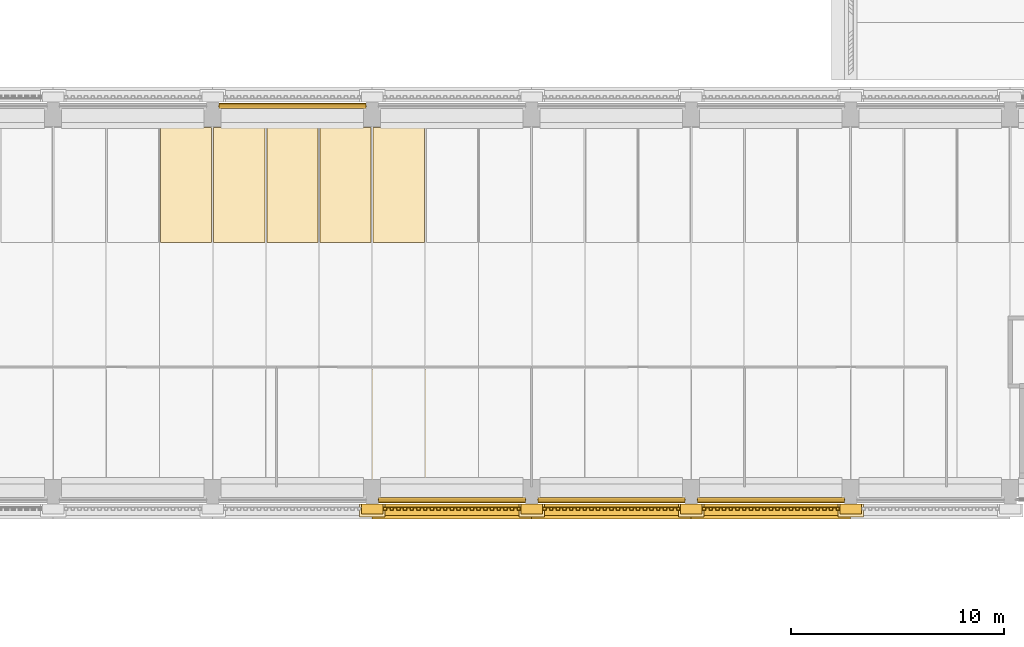
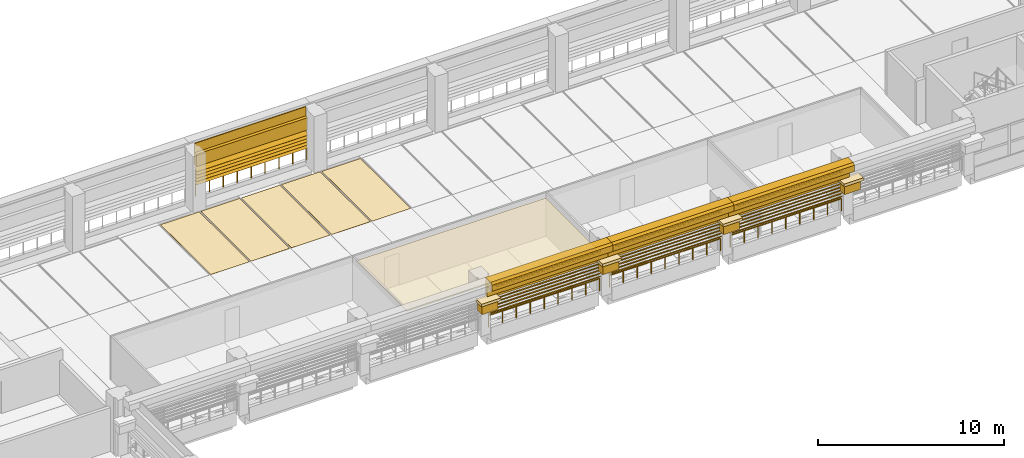
# One storey, part 43 of 71: 24 coverings, 20 shading devices, 4 railings.
"""IFC4 building model written with IfcOpenShell, lengths in metres."""

from ifc_helpers import new_model, si_unit, direction, frame, origin, origin_2d, place, context, subcontext, project, spatial, polyline, circle, outline, extrude, material, layer, layer_set, type_object, element, save


model = new_model("IFC4")

# Units and contexts
model_context = context("Model", 3, precision=1e-05, world=origin(), true_north=direction((0.0, 1.0)))
body_context = subcontext(model_context, "Body", "Model", "MODEL_VIEW")
ifc_project = project(units=[si_unit("LENGTHUNIT", "METRE"), si_unit("AREAUNIT", "SQUARE_METRE"), si_unit("VOLUMEUNIT", "CUBIC_METRE"), si_unit("PLANEANGLEUNIT", "RADIAN"), si_unit("MASSUNIT", "GRAM", prefix="KILO")], contexts=[model_context])

# Site, building, storey
site_placement = place(None, origin())
site = spatial("IfcSite", under=ifc_project, at=site_placement, CompositionType="ELEMENT")
building_placement = place(site_placement, origin())
building = spatial("IfcBuilding", under=site, at=building_placement, Name="Cour d'Honneur Mobility Palace", CompositionType="ELEMENT")
storey_placement = place(building_placement, frame((0.0, 0.0, 15.60009765625)))
storey = spatial("IfcBuildingStorey", under=building, at=storey_placement, Name="L04", CompositionType="ELEMENT", Elevation=15.60009765625)

# Railings
ifc_material_1 = material(Name="Painted steel", Category="steel")
railing_type = type_object("IfcRailingType", Name="Balustrade", PredefinedType="BALUSTRADE", material=ifc_material_1)
for number, where, name in (
    (1, (40.199951171875, 44.449951171875, 0.2998046875), "Balustrade BAL-207"),
    (2, (47.699951171875, 44.449951171875, 0.2998046875), "Balustrade BAL-208"),
    (3, (55.199951171875, 44.449951171875, 0.2998046875), "Balustrade BAL-209"),
):
    element("IfcRailing", number, at=place(storey_placement, frame(where)), inside=storey, type_object=railing_type, Name=name, PredefinedType="BALUSTRADE", context=body_context, shape_type="SweptSolid", body=[
        extrude(circle(Radius=0.02392578125, at=origin_2d()), frame((0.0, 0.0, 0.77587890625), z_axis=(1.0, 0.0, 0.0), x_axis=(0.0, 1.0, 0.0)), (0.0, 0.0, 1.0), 6.900146484375),
        extrude(circle(Radius=0.02099609375, at=origin_2d()), origin(), (0.0, 0.0, 1.0), 0.751953125),
        extrude(circle(Radius=0.02099609375, at=origin_2d()), frame((0.862548828125, 0.0, 0.0)), (0.0, 0.0, 1.0), 0.751953125),
        extrude(circle(Radius=0.02099609375, at=origin_2d()), frame((1.72509765625, 0.0, 0.0)), (0.0, 0.0, 1.0), 0.751953125),
        extrude(circle(Radius=0.02099609375, at=origin_2d()), frame((2.587646484375, 0.0, 0.0)), (0.0, 0.0, 1.0), 0.751953125),
        extrude(circle(Radius=0.02099609375, at=origin_2d()), frame((3.4501953125, 0.0, 0.0)), (0.0, 0.0, 1.0), 0.751953125),
        extrude(circle(Radius=0.02099609375, at=origin_2d()), frame((4.3125, 0.0, 0.0)), (0.0, 0.0, 1.0), 0.751953125),
        extrude(circle(Radius=0.02099609375, at=origin_2d()), frame((5.175048828125, 0.0, 0.0)), (0.0, 0.0, 1.0), 0.751953125),
        extrude(circle(Radius=0.02099609375, at=origin_2d()), frame((6.03759765625, 0.0, 0.0)), (0.0, 0.0, 1.0), 0.751953125),
        extrude(circle(Radius=0.02099609375, at=origin_2d()), frame((6.900146484375, 0.0, 0.0)), (0.0, 0.0, 1.0), 0.751953125),
    ])
railing_placement = place(storey_placement, frame((39.60009765625, 62.949951171875, 0.2998046875)))
element("IfcRailing", 4, at=railing_placement, inside=storey, type_object=railing_type, Name="Balustrade BAL-249", PredefinedType="BALUSTRADE", context=body_context, shape_type="SweptSolid", body=[
    extrude(circle(Radius=0.02392578125, at=origin_2d()), frame((0.0, 0.0, 0.77587890625), z_axis=(-1.0, 0.0, 0.0), x_axis=(0.0, -1.0, 0.0)), (0.0, 0.0, 1.0), 6.900146484375),
    extrude(circle(Radius=0.02099609375, at=origin_2d()), origin(), (0.0, 0.0, 1.0), 0.751953125),
    extrude(circle(Radius=0.02099609375, at=origin_2d()), frame((-0.862548828125, 0.0, 0.0)), (0.0, 0.0, 1.0), 0.751953125),
    extrude(circle(Radius=0.02099609375, at=origin_2d()), frame((-1.72509765625, 0.0, 0.0)), (0.0, 0.0, 1.0), 0.751953125),
    extrude(circle(Radius=0.02099609375, at=origin_2d()), frame((-2.587646484375, 0.0, 0.0)), (0.0, 0.0, 1.0), 0.751953125),
    extrude(circle(Radius=0.02099609375, at=origin_2d()), frame((-3.4501953125, 0.0, 0.0)), (0.0, 0.0, 1.0), 0.751953125),
    extrude(circle(Radius=0.02099609375, at=origin_2d()), frame((-4.3125, 0.0, 0.0)), (0.0, 0.0, 1.0), 0.751953125),
    extrude(circle(Radius=0.02099609375, at=origin_2d()), frame((-5.175048828125, 0.0, 0.0)), (0.0, 0.0, 1.0), 0.751953125),
    extrude(circle(Radius=0.02099609375, at=origin_2d()), frame((-6.03759765625, 0.0, 0.0)), (0.0, 0.0, 1.0), 0.751953125),
    extrude(circle(Radius=0.02099609375, at=origin_2d()), frame((-6.900146484375, 0.0, 0.0)), (0.0, 0.0, 1.0), 0.751953125),
])

# Coverings
ifc_material_2 = material(Name="Cast limestone", Category="masonry")
ifc_layer_1 = layer(ifc_material_2, 0.14990234375)
ifc_layer_set_1 = layer_set([ifc_layer_1], Name="Cast limestone")
covering_type_1 = type_object("IfcCoveringType", Name="Dentil course", PredefinedType="CLADDING", material=ifc_layer_set_1)
covering_1_placement = place(storey_placement, frame((0.0, 0.0, 3.14990234375)))
element("IfcCovering", 5, at=covering_1_placement, inside=storey, type_object=covering_type_1, Name="Dentil course DC-73", PredefinedType="CLADDING", context=body_context, shape_type="SweptSolid", body=[
    extrude(outline(polyline([(40.35009765625, 44.10009765625), (46.949951171875, 44.10009765625), (46.949951171875, 44.070068359375), (46.949951171875, 44.070068359375), (46.871337890625, 44.070068359375), (46.871337890625, 43.949951171875), (46.71435546875, 43.949951171875), (46.71435546875, 44.070068359375), (46.6357421875, 44.070068359375), (46.6357421875, 44.070068359375), (46.55712890625, 44.070068359375), (46.55712890625, 43.949951171875), (46.39990234375, 43.949951171875), (46.39990234375, 44.070068359375), (46.321533203125, 44.070068359375), (46.321533203125, 44.070068359375), (46.242919921875, 44.070068359375), (46.242919921875, 43.949951171875), (46.085693359375, 43.949951171875), (46.085693359375, 44.070068359375), (46.007080078125, 44.070068359375), (46.007080078125, 44.070068359375), (45.928466796875, 44.070068359375), (45.928466796875, 43.949951171875), (45.771484375, 43.949951171875), (45.771484375, 44.070068359375), (45.69287109375, 44.070068359375), (45.69287109375, 44.070068359375), (45.6142578125, 44.070068359375), (45.6142578125, 43.949951171875), (45.45703125, 43.949951171875), (45.45703125, 44.070068359375), (45.378662109375, 44.070068359375), (45.378662109375, 44.070068359375), (45.300048828125, 44.070068359375), (45.300048828125, 43.949951171875), (45.142822265625, 43.949951171875), (45.142822265625, 44.070068359375), (45.064208984375, 44.070068359375), (45.064208984375, 44.070068359375), (44.985595703125, 44.070068359375), (44.985595703125, 43.949951171875), (44.82861328125, 43.949951171875), (44.82861328125, 44.070068359375), (44.75, 44.070068359375), (44.75, 44.070068359375), (44.67138671875, 44.070068359375), (44.67138671875, 43.949951171875), (44.514404296875, 43.949951171875), (44.514404296875, 44.070068359375), (44.435791015625, 44.070068359375), (44.435791015625, 44.070068359375), (44.357177734375, 44.070068359375), (44.357177734375, 43.949951171875), (44.199951171875, 43.949951171875), (44.199951171875, 44.070068359375), (44.121337890625, 44.070068359375), (44.121337890625, 44.070068359375), (44.04296875, 44.070068359375), (44.04296875, 43.949951171875), (43.8857421875, 43.949951171875), (43.8857421875, 44.070068359375), (43.80712890625, 44.070068359375), (43.80712890625, 44.070068359375), (43.728515625, 44.070068359375), (43.728515625, 43.949951171875), (43.571533203125, 43.949951171875), (43.571533203125, 44.070068359375), (43.492919921875, 44.070068359375), (43.492919921875, 44.070068359375), (43.414306640625, 44.070068359375), (43.414306640625, 43.949951171875), (43.257080078125, 43.949951171875), (43.257080078125, 44.070068359375), (43.178466796875, 44.070068359375), (43.178466796875, 44.070068359375), (43.10009765625, 44.070068359375), (43.10009765625, 43.949951171875), (42.94287109375, 43.949951171875), (42.94287109375, 44.070068359375), (42.8642578125, 44.070068359375), (42.8642578125, 44.070068359375), (42.78564453125, 44.070068359375), (42.78564453125, 43.949951171875), (42.628662109375, 43.949951171875), (42.628662109375, 44.070068359375), (42.550048828125, 44.070068359375), (42.550048828125, 44.070068359375), (42.471435546875, 44.070068359375), (42.471435546875, 43.949951171875), (42.314208984375, 43.949951171875), (42.314208984375, 44.070068359375), (42.235595703125, 44.070068359375), (42.235595703125, 44.070068359375), (42.1572265625, 44.070068359375), (42.1572265625, 43.949951171875), (42.0, 43.949951171875), (42.0, 44.070068359375), (41.92138671875, 44.070068359375), (41.92138671875, 44.070068359375), (41.8427734375, 44.070068359375), (41.8427734375, 43.949951171875), (41.685791015625, 43.949951171875), (41.685791015625, 44.070068359375), (41.607177734375, 44.070068359375), (41.607177734375, 44.070068359375), (41.528564453125, 44.070068359375), (41.528564453125, 43.949951171875), (41.371337890625, 43.949951171875), (41.371337890625, 44.070068359375), (41.29296875, 44.070068359375), (41.29296875, 44.070068359375), (41.21435546875, 44.070068359375), (41.21435546875, 43.949951171875), (41.05712890625, 43.949951171875), (41.05712890625, 44.070068359375), (40.978515625, 44.070068359375), (40.978515625, 44.070068359375), (40.89990234375, 44.070068359375), (40.89990234375, 43.949951171875), (40.742919921875, 43.949951171875), (40.742919921875, 44.070068359375), (40.664306640625, 44.070068359375), (40.664306640625, 44.070068359375), (40.585693359375, 44.070068359375), (40.585693359375, 43.949951171875), (40.428466796875, 43.949951171875), (40.428466796875, 44.070068359375), (40.35009765625, 44.070068359375), (40.35009765625, 44.10009765625)])), origin(), (0.0, 0.0, 1.0), 0.14990234375),
])
covering_2_placement = place(storey_placement, frame((0.0, 0.0, 3.14990234375)))
element("IfcCovering", 6, at=covering_2_placement, inside=storey, type_object=covering_type_1, Name="Dentil course DC-74", PredefinedType="CLADDING", context=body_context, shape_type="SweptSolid", body=[
    extrude(outline(polyline([(47.85009765625, 44.10009765625), (54.449951171875, 44.10009765625), (54.449951171875, 44.070068359375), (54.449951171875, 44.070068359375), (54.371337890625, 44.070068359375), (54.371337890625, 43.949951171875), (54.21435546875, 43.949951171875), (54.21435546875, 44.070068359375), (54.1357421875, 44.070068359375), (54.1357421875, 44.070068359375), (54.05712890625, 44.070068359375), (54.05712890625, 43.949951171875), (53.89990234375, 43.949951171875), (53.89990234375, 44.070068359375), (53.821533203125, 44.070068359375), (53.821533203125, 44.070068359375), (53.742919921875, 44.070068359375), (53.742919921875, 43.949951171875), (53.585693359375, 43.949951171875), (53.585693359375, 44.070068359375), (53.507080078125, 44.070068359375), (53.507080078125, 44.070068359375), (53.428466796875, 44.070068359375), (53.428466796875, 43.949951171875), (53.271484375, 43.949951171875), (53.271484375, 44.070068359375), (53.19287109375, 44.070068359375), (53.19287109375, 44.070068359375), (53.1142578125, 44.070068359375), (53.1142578125, 43.949951171875), (52.95703125, 43.949951171875), (52.95703125, 44.070068359375), (52.878662109375, 44.070068359375), (52.878662109375, 44.070068359375), (52.800048828125, 44.070068359375), (52.800048828125, 43.949951171875), (52.642822265625, 43.949951171875), (52.642822265625, 44.070068359375), (52.564208984375, 44.070068359375), (52.564208984375, 44.070068359375), (52.485595703125, 44.070068359375), (52.485595703125, 43.949951171875), (52.32861328125, 43.949951171875), (52.32861328125, 44.070068359375), (52.25, 44.070068359375), (52.25, 44.070068359375), (52.17138671875, 44.070068359375), (52.17138671875, 43.949951171875), (52.014404296875, 43.949951171875), (52.014404296875, 44.070068359375), (51.935791015625, 44.070068359375), (51.935791015625, 44.070068359375), (51.857177734375, 44.070068359375), (51.857177734375, 43.949951171875), (51.699951171875, 43.949951171875), (51.699951171875, 44.070068359375), (51.621337890625, 44.070068359375), (51.621337890625, 44.070068359375), (51.54296875, 44.070068359375), (51.54296875, 43.949951171875), (51.3857421875, 43.949951171875), (51.3857421875, 44.070068359375), (51.30712890625, 44.070068359375), (51.30712890625, 44.070068359375), (51.228515625, 44.070068359375), (51.228515625, 43.949951171875), (51.071533203125, 43.949951171875), (51.071533203125, 44.070068359375), (50.992919921875, 44.070068359375), (50.992919921875, 44.070068359375), (50.914306640625, 44.070068359375), (50.914306640625, 43.949951171875), (50.757080078125, 43.949951171875), (50.757080078125, 44.070068359375), (50.678466796875, 44.070068359375), (50.678466796875, 44.070068359375), (50.60009765625, 44.070068359375), (50.60009765625, 43.949951171875), (50.44287109375, 43.949951171875), (50.44287109375, 44.070068359375), (50.3642578125, 44.070068359375), (50.3642578125, 44.070068359375), (50.28564453125, 44.070068359375), (50.28564453125, 43.949951171875), (50.128662109375, 43.949951171875), (50.128662109375, 44.070068359375), (50.050048828125, 44.070068359375), (50.050048828125, 44.070068359375), (49.971435546875, 44.070068359375), (49.971435546875, 43.949951171875), (49.814208984375, 43.949951171875), (49.814208984375, 44.070068359375), (49.735595703125, 44.070068359375), (49.735595703125, 44.070068359375), (49.6572265625, 44.070068359375), (49.6572265625, 43.949951171875), (49.5, 43.949951171875), (49.5, 44.070068359375), (49.42138671875, 44.070068359375), (49.42138671875, 44.070068359375), (49.3427734375, 44.070068359375), (49.3427734375, 43.949951171875), (49.185791015625, 43.949951171875), (49.185791015625, 44.070068359375), (49.107177734375, 44.070068359375), (49.107177734375, 44.070068359375), (49.028564453125, 44.070068359375), (49.028564453125, 43.949951171875), (48.871337890625, 43.949951171875), (48.871337890625, 44.070068359375), (48.79296875, 44.070068359375), (48.79296875, 44.070068359375), (48.71435546875, 44.070068359375), (48.71435546875, 43.949951171875), (48.55712890625, 43.949951171875), (48.55712890625, 44.070068359375), (48.478515625, 44.070068359375), (48.478515625, 44.070068359375), (48.39990234375, 44.070068359375), (48.39990234375, 43.949951171875), (48.242919921875, 43.949951171875), (48.242919921875, 44.070068359375), (48.164306640625, 44.070068359375), (48.164306640625, 44.070068359375), (48.085693359375, 44.070068359375), (48.085693359375, 43.949951171875), (47.928466796875, 43.949951171875), (47.928466796875, 44.070068359375), (47.85009765625, 44.070068359375), (47.85009765625, 44.10009765625)])), origin(), (0.0, 0.0, 1.0), 0.14990234375),
])
covering_3_placement = place(storey_placement, frame((0.0, 0.0, 3.14990234375)))
element("IfcCovering", 7, at=covering_3_placement, inside=storey, type_object=covering_type_1, Name="Dentil course DC-75", PredefinedType="CLADDING", context=body_context, shape_type="SweptSolid", body=[
    extrude(outline(polyline([(55.35009765625, 44.10009765625), (61.949951171875, 44.10009765625), (61.949951171875, 44.070068359375), (61.949951171875, 44.070068359375), (61.871337890625, 44.070068359375), (61.871337890625, 43.949951171875), (61.71435546875, 43.949951171875), (61.71435546875, 44.070068359375), (61.6357421875, 44.070068359375), (61.6357421875, 44.070068359375), (61.55712890625, 44.070068359375), (61.55712890625, 43.949951171875), (61.39990234375, 43.949951171875), (61.39990234375, 44.070068359375), (61.321533203125, 44.070068359375), (61.321533203125, 44.070068359375), (61.242919921875, 44.070068359375), (61.242919921875, 43.949951171875), (61.085693359375, 43.949951171875), (61.085693359375, 44.070068359375), (61.007080078125, 44.070068359375), (61.007080078125, 44.070068359375), (60.928466796875, 44.070068359375), (60.928466796875, 43.949951171875), (60.771484375, 43.949951171875), (60.771484375, 44.070068359375), (60.69287109375, 44.070068359375), (60.69287109375, 44.070068359375), (60.6142578125, 44.070068359375), (60.6142578125, 43.949951171875), (60.45703125, 43.949951171875), (60.45703125, 44.070068359375), (60.378662109375, 44.070068359375), (60.378662109375, 44.070068359375), (60.300048828125, 44.070068359375), (60.300048828125, 43.949951171875), (60.142822265625, 43.949951171875), (60.142822265625, 44.070068359375), (60.064208984375, 44.070068359375), (60.064208984375, 44.070068359375), (59.985595703125, 44.070068359375), (59.985595703125, 43.949951171875), (59.82861328125, 43.949951171875), (59.82861328125, 44.070068359375), (59.75, 44.070068359375), (59.75, 44.070068359375), (59.67138671875, 44.070068359375), (59.67138671875, 43.949951171875), (59.514404296875, 43.949951171875), (59.514404296875, 44.070068359375), (59.435791015625, 44.070068359375), (59.435791015625, 44.070068359375), (59.357177734375, 44.070068359375), (59.357177734375, 43.949951171875), (59.199951171875, 43.949951171875), (59.199951171875, 44.070068359375), (59.121337890625, 44.070068359375), (59.121337890625, 44.070068359375), (59.04296875, 44.070068359375), (59.04296875, 43.949951171875), (58.8857421875, 43.949951171875), (58.8857421875, 44.070068359375), (58.80712890625, 44.070068359375), (58.80712890625, 44.070068359375), (58.728515625, 44.070068359375), (58.728515625, 43.949951171875), (58.571533203125, 43.949951171875), (58.571533203125, 44.070068359375), (58.492919921875, 44.070068359375), (58.492919921875, 44.070068359375), (58.414306640625, 44.070068359375), (58.414306640625, 43.949951171875), (58.257080078125, 43.949951171875), (58.257080078125, 44.070068359375), (58.178466796875, 44.070068359375), (58.178466796875, 44.070068359375), (58.10009765625, 44.070068359375), (58.10009765625, 43.949951171875), (57.94287109375, 43.949951171875), (57.94287109375, 44.070068359375), (57.8642578125, 44.070068359375), (57.8642578125, 44.070068359375), (57.78564453125, 44.070068359375), (57.78564453125, 43.949951171875), (57.628662109375, 43.949951171875), (57.628662109375, 44.070068359375), (57.550048828125, 44.070068359375), (57.550048828125, 44.070068359375), (57.471435546875, 44.070068359375), (57.471435546875, 43.949951171875), (57.314208984375, 43.949951171875), (57.314208984375, 44.070068359375), (57.235595703125, 44.070068359375), (57.235595703125, 44.070068359375), (57.1572265625, 44.070068359375), (57.1572265625, 43.949951171875), (57.0, 43.949951171875), (57.0, 44.070068359375), (56.92138671875, 44.070068359375), (56.92138671875, 44.070068359375), (56.8427734375, 44.070068359375), (56.8427734375, 43.949951171875), (56.685791015625, 43.949951171875), (56.685791015625, 44.070068359375), (56.607177734375, 44.070068359375), (56.607177734375, 44.070068359375), (56.528564453125, 44.070068359375), (56.528564453125, 43.949951171875), (56.371337890625, 43.949951171875), (56.371337890625, 44.070068359375), (56.29296875, 44.070068359375), (56.29296875, 44.070068359375), (56.21435546875, 44.070068359375), (56.21435546875, 43.949951171875), (56.05712890625, 43.949951171875), (56.05712890625, 44.070068359375), (55.978515625, 44.070068359375), (55.978515625, 44.070068359375), (55.89990234375, 44.070068359375), (55.89990234375, 43.949951171875), (55.742919921875, 43.949951171875), (55.742919921875, 44.070068359375), (55.664306640625, 44.070068359375), (55.664306640625, 44.070068359375), (55.585693359375, 44.070068359375), (55.585693359375, 43.949951171875), (55.428466796875, 43.949951171875), (55.428466796875, 44.070068359375), (55.35009765625, 44.070068359375), (55.35009765625, 44.10009765625)])), origin(), (0.0, 0.0, 1.0), 0.14990234375),
])
ifc_material_3 = material(Name="Cast limestone", Category="masonry")
ifc_layer_2 = layer(ifc_material_3, 0.699951171875)
ifc_layer_set_2 = layer_set([ifc_layer_2], Name="Cast limestone")
covering_type_2 = type_object("IfcCoveringType", Name="Entablature", PredefinedType="CLADDING", material=ifc_layer_set_2)
for number, where, z_axis, x_axis, name in (
    (8, (39.89990234375, 44.25, 2.599853515625), (-1.0, 0.0, 0.0), (0.0, -1.0, 0.0), "Entablature EN-73"),
    (9, (47.39990234375, 44.25, 2.599853515625), (-1.0, 0.0, 0.0), (0.0, -1.0, 0.0), "Entablature EN-74"),
    (10, (54.89990234375, 44.25, 2.599853515625), (-1.0, 0.0, 0.0), (0.0, -1.0, 0.0), "Entablature EN-75"),
):
    element("IfcCovering", number, at=place(storey_placement, frame(where, z_axis=z_axis, x_axis=x_axis)), inside=storey, type_object=covering_type_2, Name=name, PredefinedType="CLADDING", context=body_context, shape_type="SweptSolid", body=[
        extrude(outline(polyline([(0.0, 0.0), (0.14990234375, 0.0), (0.14990234375, 0.699951171875), (0.699951171875, 0.699951171875), (0.699951171875, 1.10009765625), (0.550048828125, 1.199951171875), (0.0, 1.199951171875), (0.0, 0.0)])), origin(), (0.0, 0.0, -1.0), 7.5),
    ])
ifc_material_4 = material(Name="Parking marking paint")
ifc_layer_3 = layer(ifc_material_4, 0.0048828125)
ifc_layer_set_3 = layer_set([ifc_layer_3], Name="Parking marking paint")
covering_type_3 = type_object("IfcCoveringType", Name="Parking bay marking", PredefinedType="FLOORING", material=ifc_layer_set_3)
covering_4_placement = place(storey_placement, origin())
element("IfcCovering", 11, at=covering_4_placement, inside=storey, type_object=covering_type_3, Name="Parking bay marking L04 2", PredefinedType="FLOORING", context=body_context, shape_type="SweptSolid", body=[
    extrude(outline(polyline([(42.35009765625, 56.550048828125), (39.949951171875, 56.550048828125), (39.949951171875, 61.949951171875), (42.35009765625, 61.949951171875), (42.35009765625, 56.550048828125)])), origin(), (0.0, 0.0, 1.0), 0.0048828125),
])
covering_5_placement = place(storey_placement, origin())
element("IfcCovering", 12, at=covering_5_placement, inside=storey, type_object=covering_type_3, Name="Parking bay marking L04 40", PredefinedType="FLOORING", context=body_context, shape_type="SweptSolid", body=[
    extrude(outline(polyline([(32.35009765625, 56.550048828125), (29.949951171875, 56.550048828125), (29.949951171875, 61.949951171875), (32.35009765625, 61.949951171875), (32.35009765625, 56.550048828125)])), origin(), (0.0, 0.0, 1.0), 0.0048828125),
])
covering_6_placement = place(storey_placement, origin())
element("IfcCovering", 13, at=covering_6_placement, inside=storey, type_object=covering_type_3, Name="Parking bay marking L04 41", PredefinedType="FLOORING", context=body_context, shape_type="SweptSolid", body=[
    extrude(outline(polyline([(34.85009765625, 56.550048828125), (32.449951171875, 56.550048828125), (32.449951171875, 61.949951171875), (34.85009765625, 61.949951171875), (34.85009765625, 56.550048828125)])), origin(), (0.0, 0.0, 1.0), 0.0048828125),
])
covering_7_placement = place(storey_placement, origin())
element("IfcCovering", 14, at=covering_7_placement, inside=storey, type_object=covering_type_3, Name="Parking bay marking L04 42", PredefinedType="FLOORING", context=body_context, shape_type="SweptSolid", body=[
    extrude(outline(polyline([(37.35009765625, 56.550048828125), (34.949951171875, 56.550048828125), (34.949951171875, 61.949951171875), (37.35009765625, 61.949951171875), (37.35009765625, 56.550048828125)])), origin(), (0.0, 0.0, 1.0), 0.0048828125),
])
covering_8_placement = place(storey_placement, origin())
element("IfcCovering", 15, at=covering_8_placement, inside=storey, type_object=covering_type_3, Name="Parking bay marking L04 43", PredefinedType="FLOORING", context=body_context, shape_type="SweptSolid", body=[
    extrude(outline(polyline([(39.85009765625, 56.550048828125), (37.449951171875, 56.550048828125), (37.449951171875, 61.949951171875), (39.85009765625, 61.949951171875), (39.85009765625, 56.550048828125)])), origin(), (0.0, 0.0, 1.0), 0.0048828125),
])
ifc_material_5 = material(Name="Cast limestone", Category="masonry")
ifc_layer_4 = layer(ifc_material_5, 0.1201171875)
ifc_layer_set_4 = layer_set([ifc_layer_4], Name="Cast limestone")
covering_type_4 = type_object("IfcCoveringType", Name="Pilaster capital", PredefinedType="CLADDING", material=ifc_layer_set_4)
covering_9_placement = place(storey_placement, frame((0.0, 0.0, 1.7998046875)))
element("IfcCovering", 16, at=covering_9_placement, inside=storey, type_object=covering_type_4, Name="Pilaster capital PK-25", PredefinedType="CLADDING", context=body_context, shape_type="SweptSolid", body=[
    extrude(outline(polyline([(39.39990234375, 44.25), (40.39990234375, 44.25), (40.39990234375, 43.780029296875), (39.39990234375, 43.780029296875), (39.39990234375, 44.25)])), origin(), (0.0, 0.0, 1.0), 0.6201171875),
])
covering_10_placement = place(storey_placement, frame((0.0, 0.0, 2.419921875)))
element("IfcCovering", 17, at=covering_10_placement, inside=storey, type_object=covering_type_4, Name="Pilaster capital PK-26", PredefinedType="CLADDING", context=body_context, shape_type="SweptSolid", body=[
    extrude(outline(polyline([(39.300048828125, 44.25), (40.5, 44.25), (40.5, 43.64990234375), (39.300048828125, 43.64990234375), (39.300048828125, 44.25)])), origin(), (0.0, 0.0, 1.0), 0.179931640625),
])
covering_11_placement = place(storey_placement, frame((0.0, 0.0, 1.7998046875)))
element("IfcCovering", 18, at=covering_11_placement, inside=storey, type_object=covering_type_4, Name="Pilaster capital PK-27", PredefinedType="CLADDING", context=body_context, shape_type="SweptSolid", body=[
    extrude(outline(polyline([(46.89990234375, 44.25), (47.89990234375, 44.25), (47.89990234375, 43.780029296875), (46.89990234375, 43.780029296875), (46.89990234375, 44.25)])), origin(), (0.0, 0.0, 1.0), 0.6201171875),
])
covering_12_placement = place(storey_placement, frame((0.0, 0.0, 2.419921875)))
element("IfcCovering", 19, at=covering_12_placement, inside=storey, type_object=covering_type_4, Name="Pilaster capital PK-28", PredefinedType="CLADDING", context=body_context, shape_type="SweptSolid", body=[
    extrude(outline(polyline([(46.800048828125, 44.25), (48.0, 44.25), (48.0, 43.64990234375), (46.800048828125, 43.64990234375), (46.800048828125, 44.25)])), origin(), (0.0, 0.0, 1.0), 0.179931640625),
])
covering_13_placement = place(storey_placement, frame((0.0, 0.0, 1.7998046875)))
element("IfcCovering", 20, at=covering_13_placement, inside=storey, type_object=covering_type_4, Name="Pilaster capital PK-29", PredefinedType="CLADDING", context=body_context, shape_type="SweptSolid", body=[
    extrude(outline(polyline([(54.39990234375, 44.25), (55.39990234375, 44.25), (55.39990234375, 43.780029296875), (54.39990234375, 43.780029296875), (54.39990234375, 44.25)])), origin(), (0.0, 0.0, 1.0), 0.6201171875),
])
covering_14_placement = place(storey_placement, frame((0.0, 0.0, 2.419921875)))
element("IfcCovering", 21, at=covering_14_placement, inside=storey, type_object=covering_type_4, Name="Pilaster capital PK-30", PredefinedType="CLADDING", context=body_context, shape_type="SweptSolid", body=[
    extrude(outline(polyline([(54.300048828125, 44.25), (55.5, 44.25), (55.5, 43.64990234375), (54.300048828125, 43.64990234375), (54.300048828125, 44.25)])), origin(), (0.0, 0.0, 1.0), 0.179931640625),
])
covering_15_placement = place(storey_placement, frame((0.0, 0.0, 1.7998046875)))
element("IfcCovering", 22, at=covering_15_placement, inside=storey, type_object=covering_type_4, Name="Pilaster capital PK-31", PredefinedType="CLADDING", context=body_context, shape_type="SweptSolid", body=[
    extrude(outline(polyline([(61.89990234375, 44.25), (62.89990234375, 44.25), (62.89990234375, 43.780029296875), (61.89990234375, 43.780029296875), (61.89990234375, 44.25)])), origin(), (0.0, 0.0, 1.0), 0.6201171875),
])
covering_16_placement = place(storey_placement, frame((0.0, 0.0, 2.419921875)))
element("IfcCovering", 23, at=covering_16_placement, inside=storey, type_object=covering_type_4, Name="Pilaster capital PK-32", PredefinedType="CLADDING", context=body_context, shape_type="SweptSolid", body=[
    extrude(outline(polyline([(61.800048828125, 44.25), (63.0, 44.25), (63.0, 43.64990234375), (61.800048828125, 43.64990234375), (61.800048828125, 44.25)])), origin(), (0.0, 0.0, 1.0), 0.179931640625),
])
ifc_material_6 = material(Name="Cast limestone", Category="masonry")
ifc_layer_5 = layer(ifc_material_6, 0.25)
ifc_layer_set_5 = layer_set([ifc_layer_5], Name="Cast limestone")
covering_type_5 = type_object("IfcCoveringType", Name="Spandrel cladding", PredefinedType="CLADDING", material=ifc_layer_set_5)
for number, where, z_axis, x_axis, name in (
    (24, (40.199951171875, 44.550048828125, 2.2998046875), (-1.0, 0.0, 0.0), (0.0, -1.0, 0.0), "Spandrel cladding SK-284"),
    (25, (47.699951171875, 44.550048828125, 2.2998046875), (-1.0, 0.0, 0.0), (0.0, -1.0, 0.0), "Spandrel cladding SK-285"),
    (26, (55.199951171875, 44.550048828125, 2.2998046875), (-1.0, 0.0, 0.0), (0.0, -1.0, 0.0), "Spandrel cladding SK-286"),
    (27, (39.60009765625, 62.85009765625, 2.2998046875), (1.0, 0.0, 0.0), (0.0, 1.0, 0.0), "Spandrel cladding SK-328"),
):
    element("IfcCovering", number, at=place(storey_placement, frame(where, z_axis=z_axis, x_axis=x_axis)), inside=storey, type_object=covering_type_5, Name=name, PredefinedType="CLADDING", context=body_context, shape_type="SweptSolid", body=[
        extrude(outline(polyline([(0.0, 0.0), (0.25, 0.0), (0.25, 1.400146484375), (0.199951171875, 1.400146484375), (0.199951171875, 0.800048828125), (0.0, 0.800048828125), (0.0, 0.0)])), origin(), (0.0, 0.0, -1.0), 6.89990234375),
    ])
ifc_material_7 = material(Name="Suspended ceiling")
ifc_layer_6 = layer(ifc_material_7, 0.030029296875)
ifc_layer_set_6 = layer_set([ifc_layer_6], Name="Suspended ceiling")
covering_type_6 = type_object("IfcCoveringType", Name="Suspended ceiling", PredefinedType="CEILING", material=ifc_layer_set_6)
covering_17_placement = place(storey_placement, frame((0.0, 0.0, 2.5498046875)))
element("IfcCovering", 28, at=covering_17_placement, inside=storey, type_object=covering_type_6, Name="Ceiling Driver Rest Lounge", PredefinedType="CEILING", context=body_context, shape_type="SweptSolid", body=[
    extrude(outline(polyline([(47.280029296875, 45.1201171875), (35.52001953125, 45.1201171875), (35.52001953125, 50.580078125), (47.280029296875, 50.580078125), (47.280029296875, 45.1201171875)])), origin(), (0.0, 0.0, 1.0), 0.030029296875),
])

# Shading devices
ifc_material_8 = material(Name="Terracotta", Category="masonry")
ifc_layer_7 = layer(ifc_material_8, 0.02490234375)
ifc_layer_set_7 = layer_set([ifc_layer_7], Name="Terracotta")
shading_device_type = type_object("IfcShadingDeviceType", Name="Terracotta louvre blade", PredefinedType="JALOUSIE", material=ifc_layer_set_7)
for number, where, z_axis, x_axis, name in (
    (29, (40.199951171875, 44.55615234375, 1.099853515625), (0.0, 0.707106781187, 0.707106781187), (1.0, 0.0, 0.0), "Louvre blade LV-1 S2.3 L04 1"),
    (30, (40.199951171875, 44.55615234375, 1.31201171875), (0.0, 0.707106781187, 0.707106781187), (1.0, 0.0, 0.0), "Louvre blade LV-1 S2.3 L04 2"),
    (31, (40.199951171875, 44.55615234375, 1.524169921875), (0.0, 0.707106781187, 0.707106781187), (1.0, 0.0, 0.0), "Louvre blade LV-1 S2.3 L04 3"),
    (32, (40.199951171875, 44.55615234375, 1.736328125), (0.0, 0.707106781187, 0.707106781187), (1.0, 0.0, 0.0), "Louvre blade LV-1 S2.3 L04 4"),
    (33, (40.199951171875, 44.55615234375, 1.948486328125), (0.0, 0.707106781187, 0.707106781187), (1.0, 0.0, 0.0), "Louvre blade LV-1 S2.3 L04 5"),
    (34, (47.699951171875, 44.55615234375, 1.099853515625), (0.0, 0.707106781187, 0.707106781187), (1.0, 0.0, 0.0), "Louvre blade LV-1 S2.4 L04 1"),
    (35, (47.699951171875, 44.55615234375, 1.31201171875), (0.0, 0.707106781187, 0.707106781187), (1.0, 0.0, 0.0), "Louvre blade LV-1 S2.4 L04 2"),
    (36, (47.699951171875, 44.55615234375, 1.524169921875), (0.0, 0.707106781187, 0.707106781187), (1.0, 0.0, 0.0), "Louvre blade LV-1 S2.4 L04 3"),
    (37, (47.699951171875, 44.55615234375, 1.736328125), (0.0, 0.707106781187, 0.707106781187), (1.0, 0.0, 0.0), "Louvre blade LV-1 S2.4 L04 4"),
    (38, (47.699951171875, 44.55615234375, 1.948486328125), (0.0, 0.707106781187, 0.707106781187), (1.0, 0.0, 0.0), "Louvre blade LV-1 S2.4 L04 5"),
    (39, (55.199951171875, 44.55615234375, 1.099853515625), (0.0, 0.707106781187, 0.707106781187), (1.0, 0.0, 0.0), "Louvre blade LV-1 S2.5 L04 1"),
    (40, (55.199951171875, 44.55615234375, 1.31201171875), (0.0, 0.707106781187, 0.707106781187), (1.0, 0.0, 0.0), "Louvre blade LV-1 S2.5 L04 2"),
    (41, (55.199951171875, 44.55615234375, 1.524169921875), (0.0, 0.707106781187, 0.707106781187), (1.0, 0.0, 0.0), "Louvre blade LV-1 S2.5 L04 3"),
    (42, (55.199951171875, 44.55615234375, 1.736328125), (0.0, 0.707106781187, 0.707106781187), (1.0, 0.0, 0.0), "Louvre blade LV-1 S2.5 L04 4"),
    (43, (55.199951171875, 44.55615234375, 1.948486328125), (0.0, 0.707106781187, 0.707106781187), (1.0, 0.0, 0.0), "Louvre blade LV-1 S2.5 L04 5"),
    (44, (39.60009765625, 62.843994140625, 1.099853515625), (0.0, -0.707106781187, 0.707106781187), (-1.0, 0.0, 0.0), "Louvre blade LV-1 N8.14 L04 1"),
    (45, (39.60009765625, 62.843994140625, 1.31201171875), (0.0, -0.707106781187, 0.707106781187), (-1.0, 0.0, 0.0), "Louvre blade LV-1 N8.14 L04 2"),
    (46, (39.60009765625, 62.843994140625, 1.524169921875), (0.0, -0.707106781187, 0.707106781187), (-1.0, 0.0, 0.0), "Louvre blade LV-1 N8.14 L04 3"),
    (47, (39.60009765625, 62.843994140625, 1.736328125), (0.0, -0.707106781187, 0.707106781187), (-1.0, 0.0, 0.0), "Louvre blade LV-1 N8.14 L04 4"),
    (48, (39.60009765625, 62.843994140625, 1.948486328125), (0.0, -0.707106781187, 0.707106781187), (-1.0, 0.0, 0.0), "Louvre blade LV-1 N8.14 L04 5"),
):
    element("IfcShadingDevice", number, at=place(storey_placement, frame(where, z_axis=z_axis, x_axis=x_axis)), inside=storey, type_object=shading_device_type, Name=name, PredefinedType="JALOUSIE", context=body_context, shape_type="SweptSolid", body=[
        extrude(outline(polyline([(0.0, 0.0), (6.900146484375, 0.0), (6.900146484375, -0.300037008228081), (0.0, -0.300037008228081), (0.0, 0.0)])), origin(), (0.0, 0.0, -1.0), 0.02490234375),
    ])

save(model, "model.ifc")
